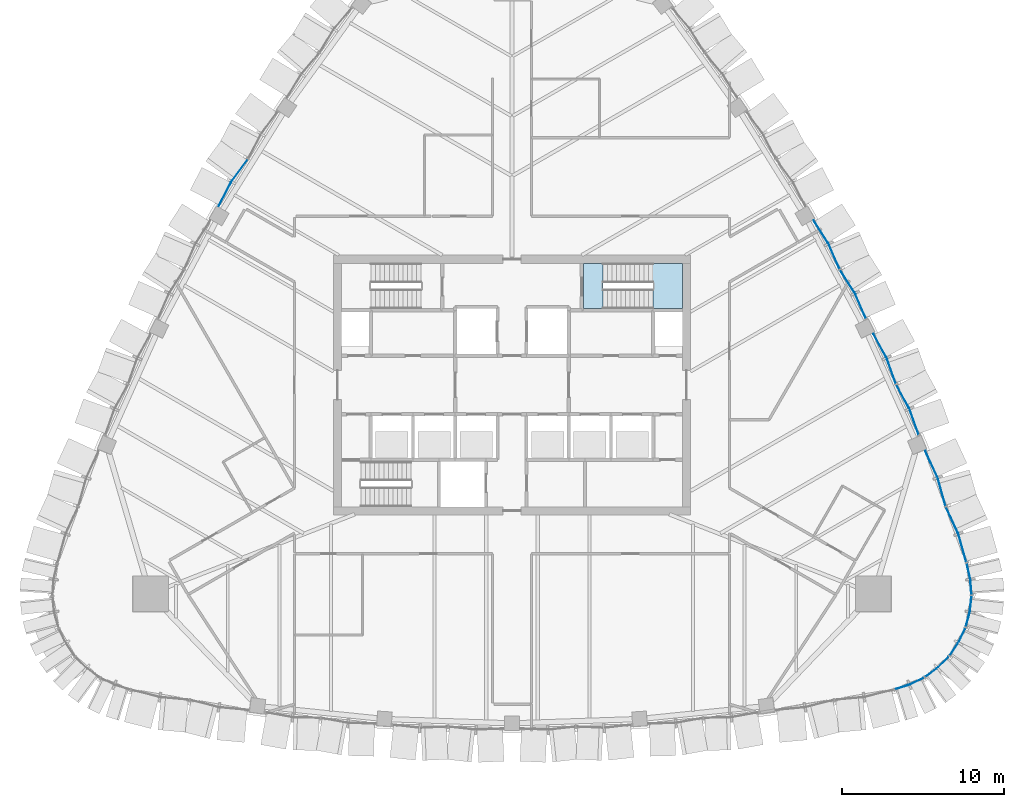
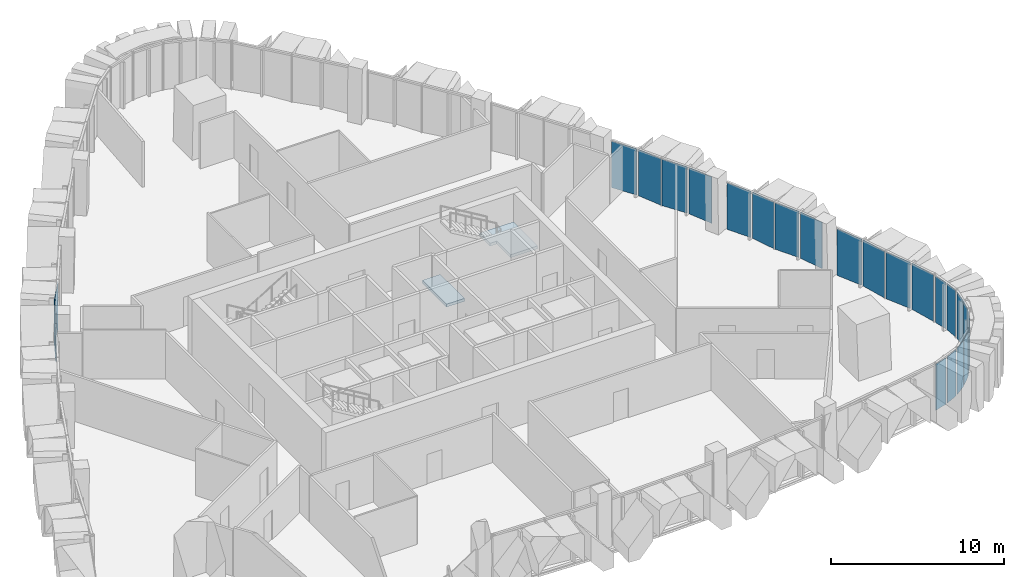
# One storey, part 10 of 19: 24 plates, 2 slabs, 10 elements without a shape of their own.
"""IFC4 building model written with IfcOpenShell, lengths in metres."""

from ifc_helpers import new_model, si_unit, direction, frame, origin, place, context, subcontext, project, spatial, polyline, outline, extrude, material, layer, layer_set, type_object, element, aggregate, save


model = new_model("IFC4")

# Units and contexts
model_context = context("Model", 3, precision=1e-05, world=origin(), true_north=direction((0.0, 1.0)))
body_context = subcontext(model_context, "Body", "Model", "MODEL_VIEW")
ifc_project = project(units=[si_unit("LENGTHUNIT", "METRE"), si_unit("AREAUNIT", "SQUARE_METRE"), si_unit("VOLUMEUNIT", "CUBIC_METRE"), si_unit("PLANEANGLEUNIT", "RADIAN"), si_unit("MASSUNIT", "GRAM", prefix="KILO")], contexts=[model_context])

# Site, building, storey
site_placement = place(None, origin())
site = spatial("IfcSite", under=ifc_project, at=site_placement, CompositionType="ELEMENT")
building_placement = place(site_placement, origin())
building = spatial("IfcBuilding", under=site, at=building_placement, Name="Sierra Prisma Convention Tower", CompositionType="ELEMENT")
storey_placement = place(building_placement, frame((0.0, 0.0, 231.0)))
storey = spatial("IfcBuildingStorey", under=building, at=storey_placement, Name="L51", CompositionType="ELEMENT", Elevation=231.0)

# Curtain wall, plates
ifc_material_1 = material(Name="Aluminium and glass curtain wall", Category="aluminium")
ifc_layer_1 = layer(ifc_material_1, 0.179931640625)
ifc_layer_set_1 = layer_set([ifc_layer_1], Name="CW-2 Faceted crystal curtain wall")
curtain_wall_type = type_object("IfcCurtainWallType", Name="CW-2 Faceted crystal curtain wall", PredefinedType="NOTDEFINED", material=ifc_layer_set_1)
curtain_wall_1_placement = place(storey_placement, origin())
curtain_wall_1 = element("IfcCurtainWall", 1, at=curtain_wall_1_placement, inside=storey, type_object=curtain_wall_type, Name="CW-2 SE1 L51", PredefinedType="NOTDEFINED")
ifc_material_2 = material(Name="Tinted glass bronze-grey IGU", Category="glass")
ifc_layer_2 = layer(ifc_material_2, 0.028076171875)
ifc_layer_set_2 = layer_set([ifc_layer_2], Name="CW-2 crystal pane")
plate_type = type_object("IfcPlateType", Name="CW-2 crystal pane", PredefinedType="CURTAIN_PANEL", material=ifc_layer_set_2)
plate_1_placement = place(storey_placement, frame((23.5830078125, -18.755126953125, 0.0), z_axis=(0.290322916728, -0.95692873508, 0.0), x_axis=(0.95692873508, 0.290322916728, 0.0)))
plate_1 = element("IfcPlate", 2, at=plate_1_placement, type_object=plate_type, Name="CW-2 pane SE1.1.1", PredefinedType="CURTAIN_PANEL", context=body_context, shape_type="SweptSolid", body=[
    extrude(outline(polyline([(0.0, 0.0), (0.8804514547306218, 0.0), (0.8804514547306218, 3.280029296875001), (0.0, 3.280029296875001), (0.0, 0.0)])), origin(), (0.0, 0.0, -1.0), 0.028076171875),
])
plate_2_placement = place(storey_placement, frame((25.33837890625, -18.068115234375, 0.0), z_axis=(0.436423164503, -0.899741530377, 0.0), x_axis=(-0.899741530377, -0.436423164503, 0.0)))
plate_2 = element("IfcPlate", 3, at=plate_2_placement, type_object=plate_type, Name="CW-2 pane SE1.1.2", PredefinedType="CURTAIN_PANEL", context=body_context, shape_type="SweptSolid", body=[
    extrude(outline(polyline([(0.0, 0.0), (0.880515460693643, 0.0), (0.880515460693643, -3.280029296875), (0.0, -3.280029296875), (0.0, 0.0)])), origin(), (0.0, 0.0, -1.0), 0.028076171875),
])
aggregate(curtain_wall_1, [plate_1, plate_2])

curtain_wall_2_placement = place(storey_placement, origin())
curtain_wall_2 = element("IfcCurtainWall", 4, at=curtain_wall_2_placement, inside=storey, type_object=curtain_wall_type, Name="CW-2 SE2 L51", PredefinedType="NOTDEFINED")
plate_3_placement = place(storey_placement, frame((25.45654296875, -17.9970703125, 0.0), z_axis=(0.590329387623, -0.807162445923, 0.0), x_axis=(0.807162445923, 0.590329387623, 0.0)))
plate_3 = element("IfcPlate", 5, at=plate_3_placement, type_object=plate_type, Name="CW-2 pane SE2.1.1", PredefinedType="CURTAIN_PANEL", context=body_context, shape_type="SweptSolid", body=[
    extrude(outline(polyline([(0.0, 0.0), (0.8804836783036323, 0.0), (0.8804836783036323, 3.280029296875), (0.0, 3.280029296875), (0.0, 0.0)])), origin(), (0.0, 0.0, -1.0), 0.028076171875),
])
plate_4_placement = place(storey_placement, frame((26.885986328125, -16.76806640625, 0.0), z_axis=(0.709598032551, -0.704606721654, 0.0), x_axis=(-0.704606721654, -0.709598032551, 0.0)))
plate_4 = element("IfcPlate", 6, at=plate_4_placement, type_object=plate_type, Name="CW-2 pane SE2.1.2", PredefinedType="CURTAIN_PANEL", context=body_context, shape_type="SweptSolid", body=[
    extrude(outline(polyline([(0.0, 0.0), (0.8804362902881779, 0.0), (0.8804362902881779, -3.280029296875), (0.0, -3.280029296875), (0.0, 0.0)])), origin(), (0.0, 0.0, -1.0), 0.028076171875),
])
aggregate(curtain_wall_2, [plate_3, plate_4])

curtain_wall_3_placement = place(storey_placement, origin())
curtain_wall_3 = element("IfcCurtainWall", 7, at=curtain_wall_3_placement, inside=storey, type_object=curtain_wall_type, Name="CW-2 SE3 L51", PredefinedType="NOTDEFINED")
plate_5_placement = place(storey_placement, frame((26.97412109375, -16.661865234375, 0.0), z_axis=(0.824074284373, -0.566481750664, 0.0), x_axis=(0.566481750664, 0.824074284373, 0.0)))
plate_5 = element("IfcPlate", 8, at=plate_5_placement, type_object=plate_type, Name="CW-2 pane SE3.1.1", PredefinedType="CURTAIN_PANEL", context=body_context, shape_type="SweptSolid", body=[
    extrude(outline(polyline([(0.0, 0.0), (0.8804860814850359, 0.0), (0.8804860814850359, 3.280029296875), (0.0, 3.280029296875), (0.0, 0.0)])), origin(), (0.0, 0.0, -1.0), 0.028076171875),
])
plate_6_placement = place(storey_placement, frame((27.916748046875, -15.029296875, 0.0), z_axis=(0.902537372049, -0.430611532655, 0.0), x_axis=(-0.430611532655, -0.902537372049, 0.0)))
plate_6 = element("IfcPlate", 9, at=plate_6_placement, type_object=plate_type, Name="CW-2 pane SE3.1.2", PredefinedType="CURTAIN_PANEL", context=body_context, shape_type="SweptSolid", body=[
    extrude(outline(polyline([(0.0, 0.0), (0.8804928848221734, 0.0), (0.8804928848221734, -3.280029296875), (0.0, -3.280029296875), (0.0, 0.0)])), origin(), (0.0, 0.0, -1.0), 0.028076171875),
])
aggregate(curtain_wall_3, [plate_5, plate_6])

curtain_wall_4_placement = place(storey_placement, origin())
curtain_wall_4 = element("IfcCurtainWall", 10, at=curtain_wall_4_placement, inside=storey, type_object=curtain_wall_type, Name="CW-2 SE4 L51", PredefinedType="NOTDEFINED")
plate_7_placement = place(storey_placement, frame((27.964599609375, -14.89990234375, 0.0), z_axis=(0.965051222864, -0.26206132345, 0.0), x_axis=(0.26206132345, 0.965051222864, 0.0)))
plate_7 = element("IfcPlate", 11, at=plate_7_placement, type_object=plate_type, Name="CW-2 pane SE4.1.1", PredefinedType="CURTAIN_PANEL", context=body_context, shape_type="SweptSolid", body=[
    extrude(outline(polyline([(0.0, 0.0), (0.8803774917547779, 0.0), (0.8803774917547779, 3.280029296875001), (0.0, 3.280029296875001), (0.0, 0.0)])), origin(), (0.0, 0.0, -1.0), 0.028076171875),
])
plate_8_placement = place(storey_placement, frame((28.314208984375, -13.047607421875, 0.0), z_axis=(0.994164522233, -0.10787447675, 0.0), x_axis=(-0.10787447675, -0.994164522233, 0.0)))
plate_8 = element("IfcPlate", 12, at=plate_8_placement, type_object=plate_type, Name="CW-2 pane SE4.1.2", PredefinedType="CURTAIN_PANEL", context=body_context, shape_type="SweptSolid", body=[
    extrude(outline(polyline([(0.0, 0.0), (0.8803815878074983, 0.0), (0.8803815878074983, -3.280029296875001), (0.0, -3.280029296875001), (0.0, 0.0)])), origin(), (0.0, 0.0, -1.0), 0.028076171875),
])
aggregate(curtain_wall_4, [plate_7, plate_8])

curtain_wall_5_placement = place(storey_placement, origin())
curtain_wall_5 = element("IfcCurtainWall", 13, at=curtain_wall_5_placement, inside=storey, type_object=curtain_wall_type, Name="CW-2 SE5 L51", PredefinedType="NOTDEFINED")
plate_9_placement = place(storey_placement, frame((28.316650390625, -12.90966796875, 0.0), z_axis=(0.997397815563, 0.072094365317, 0.0), x_axis=(-0.072094365317, 0.997397815563, 0.0)))
plate_9 = element("IfcPlate", 14, at=plate_9_placement, type_object=plate_type, Name="CW-2 pane SE5.1.1", PredefinedType="CURTAIN_PANEL", context=body_context, shape_type="SweptSolid", body=[
    extrude(outline(polyline([(0.0, 0.0), (0.8804649603422805, 0.0), (0.8804649603422805, 3.280029296875), (0.0, 3.280029296875), (0.0, 0.0)])), origin(), (0.0, 0.0, -1.0), 0.028076171875),
])
plate_10_placement = place(storey_placement, frame((28.033935546875, -11.0458984375, 0.0), z_axis=(0.973869837608, 0.227106889807, 0.0), x_axis=(0.227106889807, -0.973869837608, 0.0)))
plate_10 = element("IfcPlate", 15, at=plate_10_placement, type_object=plate_type, Name="CW-2 pane SE5.1.2", PredefinedType="CURTAIN_PANEL", context=body_context, shape_type="SweptSolid", body=[
    extrude(outline(polyline([(0.0, 0.0), (0.8804275909253988, 0.0), (0.8804275909253988, -3.280029296875), (0.0, -3.280029296875), (0.0, 0.0)])), origin(), (0.0, 0.0, -1.0), 0.028076171875),
])
aggregate(curtain_wall_5, [plate_9, plate_10])

curtain_wall_6_placement = place(storey_placement, origin())
curtain_wall_6 = element("IfcCurtainWall", 16, at=curtain_wall_6_placement, inside=storey, type_object=curtain_wall_type, Name="CW-2 NE1 L51", PredefinedType="NOTDEFINED")
plate_11_placement = place(storey_placement, frame((27.9990234375, -10.910888671875, 0.0), z_axis=(0.962502969452, 0.271271144422, 0.0), x_axis=(-0.271271144422, 0.962502969452, 0.0)))
plate_11 = element("IfcPlate", 17, at=plate_11_placement, type_object=plate_type, Name="CW-2 pane NE1.1.1", PredefinedType="CURTAIN_PANEL", context=body_context, shape_type="SweptSolid", body=[
    extrude(outline(polyline([(0.0, 0.0), (1.7486756115757451, 0.0), (1.7486756115757451, 3.280029296875), (0.0, 3.280029296875), (0.0, 0.0)])), origin(), (0.0, 0.0, -1.0), 0.028076171875),
])
plate_12_placement = place(storey_placement, frame((26.748046875, -7.51806640625, 0.0), z_axis=(0.908188079634, 0.418562315564, 0.0), x_axis=(0.418562315564, -0.908188079634, 0.0)))
plate_12 = element("IfcPlate", 18, at=plate_12_placement, type_object=plate_type, Name="CW-2 pane NE1.1.2", PredefinedType="CURTAIN_PANEL", context=body_context, shape_type="SweptSolid", body=[
    extrude(outline(polyline([(0.0, 0.0), (1.7486848828323998, 0.0), (1.7486848828323998, -3.280029296875), (0.0, -3.280029296875), (0.0, 0.0)])), origin(), (0.0, 0.0, -1.0), 0.028076171875),
])
plate_13_placement = place(storey_placement, frame((26.723876953125, -7.452392578125, 0.0), z_axis=(0.962513241344, 0.271234695857, 0.0), x_axis=(-0.271234695857, 0.962513241344, 0.0)))
plate_13 = element("IfcPlate", 19, at=plate_13_placement, type_object=plate_type, Name="CW-2 pane NE1.2.1", PredefinedType="CURTAIN_PANEL", context=body_context, shape_type="SweptSolid", body=[
    extrude(outline(polyline([(0.0, 0.0), (1.7489105989062488, 0.0), (1.7489105989062488, 3.280029296875001), (0.0, 3.280029296875001), (0.0, 0.0)])), origin(), (0.0, 0.0, -1.0), 0.028076171875),
])
plate_14_placement = place(storey_placement, frame((25.472900390625, -4.059326171875, 0.0), z_axis=(0.908241147307, 0.418447151188, 0.0), x_axis=(0.418447151188, -0.908241147307, 0.0)))
plate_14 = element("IfcPlate", 20, at=plate_14_placement, type_object=plate_type, Name="CW-2 pane NE1.2.2", PredefinedType="CURTAIN_PANEL", context=body_context, shape_type="SweptSolid", body=[
    extrude(outline(polyline([(0.0, 0.0), (1.7485827088248171, 0.0), (1.7485827088248171, -3.280029296875), (0.0, -3.280029296875), (0.0, 0.0)])), origin(), (0.0, 0.0, -1.0), 0.028076171875),
])
aggregate(curtain_wall_6, [plate_11, plate_12, plate_13, plate_14])

curtain_wall_7_placement = place(storey_placement, origin())
curtain_wall_7 = element("IfcCurtainWall", 21, at=curtain_wall_7_placement, inside=storey, type_object=curtain_wall_type, Name="CW-2 NE2 L51", PredefinedType="NOTDEFINED")
plate_15_placement = place(storey_placement, frame((25.062255859375, -3.056640625, 0.0), z_axis=(0.941816677325, 0.336126979447, 0.0), x_axis=(-0.336126979447, 0.941816677325, 0.0)))
plate_15 = element("IfcPlate", 22, at=plate_15_placement, type_object=plate_type, Name="CW-2 pane NE2.1.1", PredefinedType="CURTAIN_PANEL", context=body_context, shape_type="SweptSolid", body=[
    extrude(outline(polyline([(0.0, 0.0), (1.6248102994377798, 0.0), (1.6248102994377798, 3.280029296875001), (0.0, 3.280029296875001), (0.0, 0.0)])), origin(), (0.0, 0.0, -1.0), 0.028076171875),
])
plate_16_placement = place(storey_placement, frame((23.68408203125, 0.017822265625, 0.0), z_axis=(0.877579580935, 0.479430995166, 0.0), x_axis=(0.479430995166, -0.877579580935, 0.0)))
plate_16 = element("IfcPlate", 23, at=plate_16_placement, type_object=plate_type, Name="CW-2 pane NE2.1.2", PredefinedType="CURTAIN_PANEL", context=body_context, shape_type="SweptSolid", body=[
    extrude(outline(polyline([(0.0, 0.0), (1.6249527924356288, 0.0), (1.6249527924356288, -3.280029296875), (0.0, -3.280029296875), (0.0, 0.0)])), origin(), (0.0, 0.0, -1.0), 0.028076171875),
])
plate_17_placement = place(storey_placement, frame((23.655517578125, 0.081787109375, 0.0), z_axis=(0.941816677325, 0.336126979447, 0.0), x_axis=(-0.336126979447, 0.941816677325, 0.0)))
plate_17 = element("IfcPlate", 24, at=plate_17_placement, type_object=plate_type, Name="CW-2 pane NE2.2.1", PredefinedType="CURTAIN_PANEL", context=body_context, shape_type="SweptSolid", body=[
    extrude(outline(polyline([(0.0, 0.0), (1.6248102994377798, 0.0), (1.6248102994377798, 3.280029296875001), (0.0, 3.280029296875001), (0.0, 0.0)])), origin(), (0.0, 0.0, -1.0), 0.028076171875),
])
plate_18_placement = place(storey_placement, frame((22.27734375, 3.15625, 0.0), z_axis=(0.877579580935, 0.479430995166, 0.0), x_axis=(0.479430995166, -0.877579580935, 0.0)))
plate_18 = element("IfcPlate", 25, at=plate_18_placement, type_object=plate_type, Name="CW-2 pane NE2.2.2", PredefinedType="CURTAIN_PANEL", context=body_context, shape_type="SweptSolid", body=[
    extrude(outline(polyline([(0.0, 0.0), (1.6249527924356288, 0.0), (1.6249527924356288, -3.280029296875), (0.0, -3.280029296875), (0.0, 0.0)])), origin(), (0.0, 0.0, -1.0), 0.028076171875),
])
aggregate(curtain_wall_7, [plate_15, plate_16, plate_17, plate_18])

curtain_wall_8_placement = place(storey_placement, origin())
curtain_wall_8 = element("IfcCurtainWall", 26, at=curtain_wall_8_placement, inside=storey, type_object=curtain_wall_type, Name="CW-2 NE3 L51", PredefinedType="NOTDEFINED")
plate_19_placement = place(storey_placement, frame((21.814453125, 4.100341796875, 0.0), z_axis=(0.916746507234, 0.399469449988, 0.0), x_axis=(-0.399469449988, 0.916746507234, 0.0)))
plate_19 = element("IfcPlate", 27, at=plate_19_placement, type_object=plate_type, Name="CW-2 pane NE3.1.1", PredefinedType="CURTAIN_PANEL", context=body_context, shape_type="SweptSolid", body=[
    extrude(outline(polyline([(0.0, 0.0), (1.6330253790841436, 0.0), (1.6330253790841436, 3.280029296875), (0.0, 3.280029296875), (0.0, 0.0)])), origin(), (0.0, 0.0, -1.0), 0.028076171875),
])
plate_20_placement = place(storey_placement, frame((20.22265625, 7.088134765625, 0.0), z_axis=(0.842903454947, 0.538064834047, 0.0), x_axis=(0.538064834047, -0.842903454947, 0.0)))
plate_20 = element("IfcPlate", 28, at=plate_20_placement, type_object=plate_type, Name="CW-2 pane NE3.1.2", PredefinedType="CURTAIN_PANEL", context=body_context, shape_type="SweptSolid", body=[
    extrude(outline(polyline([(0.0, 0.0), (1.6330041544745182, 0.0), (1.6330041544745182, -3.280029296875), (0.0, -3.280029296875), (0.0, 0.0)])), origin(), (0.0, 0.0, -1.0), 0.028076171875),
])
plate_21_placement = place(storey_placement, frame((20.18994140625, 7.14990234375, 0.0), z_axis=(0.916667877017, 0.399649850802, 0.0), x_axis=(-0.399649850802, 0.916667877017, 0.0)))
plate_21 = element("IfcPlate", 29, at=plate_21_placement, type_object=plate_type, Name="CW-2 pane NE3.2.1", PredefinedType="CURTAIN_PANEL", context=body_context, shape_type="SweptSolid", body=[
    extrude(outline(polyline([(0.0, 0.0), (1.6328991223588658, 0.0), (1.6328991223588658, 3.280029296875), (0.0, 3.280029296875), (0.0, 0.0)])), origin(), (0.0, 0.0, -1.0), 0.028076171875),
])
plate_22_placement = place(storey_placement, frame((18.59814453125, 10.137451171875, 0.0), z_axis=(0.842971259252, 0.537958600707, 0.0), x_axis=(0.537958600707, -0.842971259252, 0.0)))
plate_22 = element("IfcPlate", 30, at=plate_22_placement, type_object=plate_type, Name="CW-2 pane NE3.2.2", PredefinedType="CURTAIN_PANEL", context=body_context, shape_type="SweptSolid", body=[
    extrude(outline(polyline([(0.0, 0.0), (1.632872803957059, 0.0), (1.632872803957059, -3.280029296875), (0.0, -3.280029296875), (0.0, 0.0)])), origin(), (0.0, 0.0, -1.0), 0.028076171875),
])
aggregate(curtain_wall_8, [plate_19, plate_20, plate_21, plate_22])

curtain_wall_9_placement = place(storey_placement, origin())
curtain_wall_9 = element("IfcCurtainWall", 31, at=curtain_wall_9_placement, inside=storey, type_object=curtain_wall_type, Name="CW-2 NW3 L51", PredefinedType="NOTDEFINED")
plate_23_placement = place(storey_placement, frame((-16.286865234375, 13.909912109375, 0.0), z_axis=(-0.804356319038, 0.5941472141, 0.0), x_axis=(-0.5941472141, -0.804356319038, 0.0)))
plate_23 = element("IfcPlate", 32, at=plate_23_placement, type_object=plate_type, Name="CW-2 pane NW3.2.1", PredefinedType="CURTAIN_PANEL", context=body_context, shape_type="SweptSolid", body=[
    extrude(outline(polyline([(0.0, 0.0), (1.6329536194484073, 0.0), (1.6329536194484073, 3.280029296875001), (0.0, 3.280029296875001), (0.0, 0.0)])), origin(), (0.0, 0.0, -1.0), 0.028076171875),
])
plate_24_placement = place(storey_placement, frame((-18.078369140625, 11.03759765625, 0.0), z_axis=(-0.887412568639, 0.460976065563, 0.0), x_axis=(0.460976065563, 0.887412568639, 0.0)))
plate_24 = element("IfcPlate", 33, at=plate_24_placement, type_object=plate_type, Name="CW-2 pane NW3.2.2", PredefinedType="CURTAIN_PANEL", context=body_context, shape_type="SweptSolid", body=[
    extrude(outline(polyline([(0.0, 0.0), (1.6328083020023976, 0.0), (1.6328083020023976, -3.280029296875), (0.0, -3.280029296875), (0.0, 0.0)])), origin(), (0.0, 0.0, -1.0), 0.028076171875),
])
aggregate(curtain_wall_9, [plate_23, plate_24])

# Stair, slab
ifc_material_3 = material(Name="Concrete C30/37", Category="concrete")
stair_type = type_object("IfcStairType", Name="Stair dog-leg 1200 RC", PredefinedType="HALF_TURN_STAIR", material=ifc_material_3)
stair_placement = place(storey_placement, origin())
stair = element("IfcStair", 34, at=stair_placement, inside=storey, type_object=stair_type, Name="L51 S4", PredefinedType="HALF_TURN_STAIR")
ifc_material_4 = material(Name="Concrete C35/45", Category="concrete")
ifc_layer_3 = layer(ifc_material_4, 0.199951171875)
ifc_layer_set_3 = layer_set([ifc_layer_3], Name="Stair landing slab")
slab_type = type_object("IfcSlabType", Name="Stair landing slab", PredefinedType="LANDING", material=ifc_layer_set_3)
slab_1_placement = place(storey_placement, frame((0.0, 0.0, 1.800048828125)))
slab_1 = element("IfcSlab", 35, at=slab_1_placement, type_object=slab_type, Name="S4 landing 1", PredefinedType="LANDING", context=body_context, shape_type="SweptSolid", body=[
    extrude(outline(polyline([(10.5, 7.5), (10.5, 4.699951171875), (8.677978515625, 4.699951171875), (8.677978515625, 6.300048828125), (8.22998046875, 6.300048828125), (8.22998046875, 7.5), (10.5, 7.5)])), origin(), (0.0, 0.0, 1.0), 0.199951171875),
])
aggregate(stair, [slab_1])

# Slab
slab_2_placement = place(storey_placement, frame((0.0, 0.0, -0.199951171875)))
element("IfcSlab", 36, at=slab_2_placement, inside=storey, type_object=slab_type, Name="S4 floor landing L51", PredefinedType="LANDING", context=body_context, shape_type="SweptSolid", body=[
    extrude(outline(polyline([(4.39990234375, 4.699951171875), (5.60205078125, 4.699951171875), (5.60205078125, 7.5), (4.39990234375, 7.5), (4.39990234375, 4.699951171875)])), origin(), (0.0, 0.0, 1.0), 0.199951171875),
])

save(model, "model.ifc")
